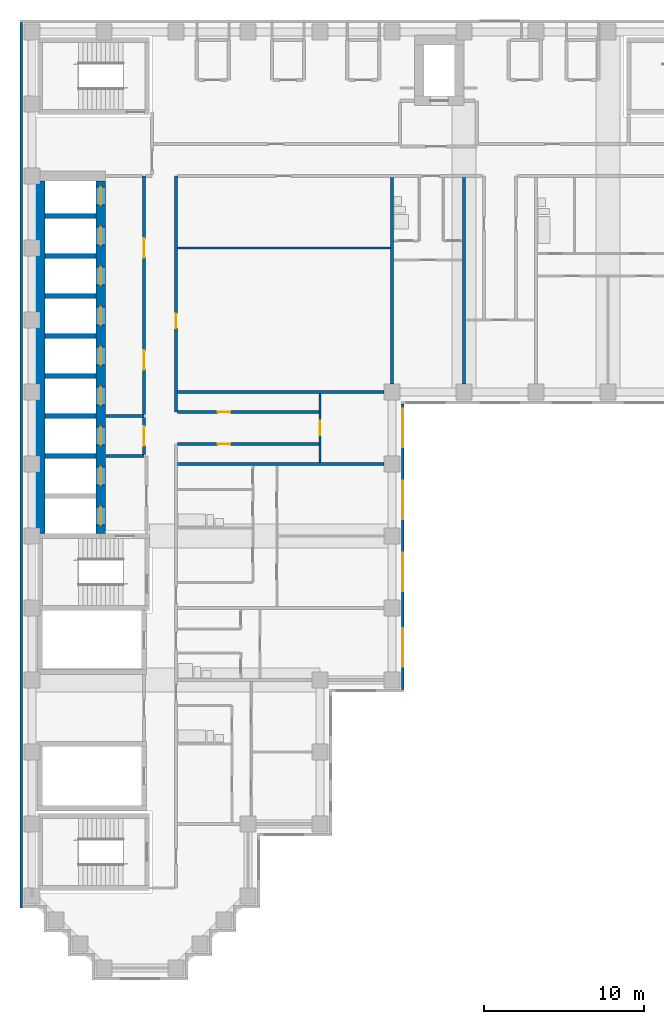
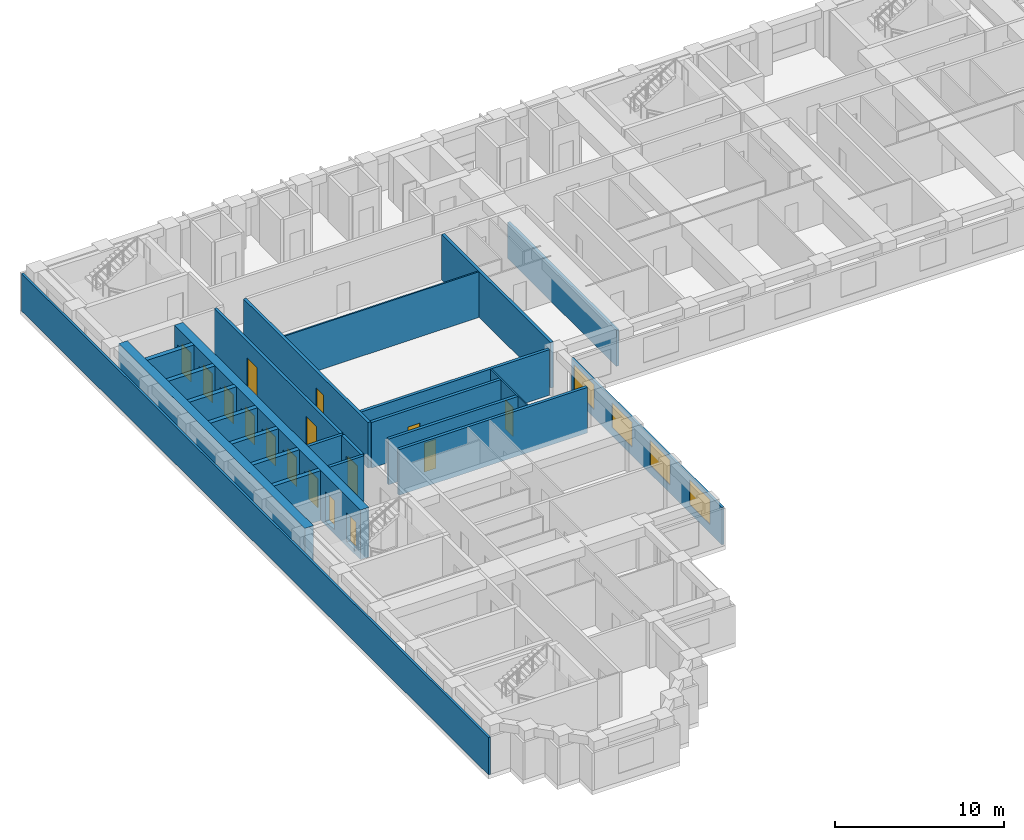
# One storey, part 4 of 12: 24 walls, 16 doors, 4 windows, 20 openings.
"""IFC4 building model written with IfcOpenShell, lengths in metres."""

from ifc_helpers import new_model, si_unit, direction, frame, frame_2d, origin, place, context, subcontext, project, spatial, rectangle, extrude, material, layer, layer_set, type_object, element, fill, save


model = new_model("IFC4")

# Units and contexts
model_context = context("Model", 3, precision=1e-05, world=origin(), true_north=direction((0.0, 1.0)))
body_context = subcontext(model_context, "Body", "Model", "MODEL_VIEW")
ifc_project = project(units=[si_unit("LENGTHUNIT", "METRE"), si_unit("AREAUNIT", "SQUARE_METRE"), si_unit("VOLUMEUNIT", "CUBIC_METRE"), si_unit("PLANEANGLEUNIT", "RADIAN"), si_unit("MASSUNIT", "GRAM", prefix="KILO")], contexts=[model_context])

# Site, building, storey
site_placement = place(None, origin())
site = spatial("IfcSite", under=ifc_project, at=site_placement, CompositionType="ELEMENT")
building_placement = place(site_placement, origin())
building = spatial("IfcBuilding", under=site, at=building_placement, Name="Firuza Court", CompositionType="ELEMENT")
storey_placement = place(building_placement, frame((0.0, 0.0, 144.800048828125)))
storey = spatial("IfcBuildingStorey", under=building, at=storey_placement, Name="L36", CompositionType="ELEMENT", Elevation=144.800048828125)

# Walls
ifc_material_1 = material(Name="Concrete C60/75", Category="concrete")
ifc_layer_1 = layer(ifc_material_1, 0.300048828125)
ifc_layer_set_1 = layer_set([ifc_layer_1], Name="Concrete C60/75")
wall_type_1 = type_object("IfcWallType", Name="Core wall 300 C60/75", PredefinedType="SHEAR", material=ifc_layer_set_1)
for number, where, z_axis, x_axis, name in (
    (1, (0.800048828125, 32.0, -0.300048828125), (0.0, 0.0, 1.0), (1.0, 0.0, 0.0), "Core wall lift shaft L36"),
    (2, (0.800048828125, 34.5, -0.300048828125), (0.0, 0.0, 1.0), (1.0, 0.0, 0.0), "Core wall lift shaft L36"),
    (3, (0.800048828125, 37.0, -0.300048828125), (0.0, 0.0, 1.0), (1.0, 0.0, 0.0), "Core wall lift shaft L36"),
    (4, (0.800048828125, 39.5, -0.300048828125), (0.0, 0.0, 1.0), (1.0, 0.0, 0.0), "Core wall lift shaft L36"),
    (5, (0.800048828125, 42.0, -0.300048828125), (0.0, 0.0, 1.0), (1.0, 0.0, 0.0), "Core wall lift shaft L36"),
    (6, (0.800048828125, 44.5, -0.300048828125), (0.0, 0.0, 1.0), (1.0, 0.0, 0.0), "Core wall lift shaft L36"),
    (7, (0.800048828125, 47.0, -0.300048828125), (0.0, 0.0, 1.0), (1.0, 0.0, 0.0), "Core wall lift shaft L36"),
):
    element("IfcWall", number, at=place(storey_placement, frame(where, z_axis=z_axis, x_axis=x_axis)), inside=storey, type_object=wall_type_1, Name=name, PredefinedType="SHEAR", context=body_context, shape_type="SweptSolid", body=[
        extrude(rectangle(XDim=3.199951171875, YDim=0.300048828125, at=frame_2d((1.60009765625, 0.0))), origin(), (0.0, 0.0, 1.0), 3.60009765625),
    ])
ifc_layer_2 = layer(ifc_material_1, 0.60009765625)
ifc_layer_set_2 = layer_set([ifc_layer_2], Name="Concrete C60/75")
wall_type_2 = type_object("IfcWallType", Name="Core wall 600 C60/75", PredefinedType="SHEAR", material=ifc_layer_set_2)
wall_1_placement = place(storey_placement, frame((0.5, 27.14990234375, -0.300048828125), z_axis=(0.0, 0.0, 1.0), x_axis=(0.0, 1.0, 0.0)))
element("IfcWall", 8, at=wall_1_placement, inside=storey, type_object=wall_type_2, Name="Core wall lift shaft L36", PredefinedType="SHEAR", context=body_context, shape_type="SweptSolid", body=[
    extrude(rectangle(XDim=22.050048828125, YDim=0.60009765625, at=frame_2d((11.02490234375, 0.0))), origin(), (0.0, 0.0, 1.0), 3.60009765625),
])

# Wall, openings, doors
wall_2_placement = place(storey_placement, frame((4.300048828125, 27.14990234375, -0.300048828125), z_axis=(0.0, 0.0, 1.0), x_axis=(0.0, 1.0, 0.0)))
wall_2 = element("IfcWall", 9, at=wall_2_placement, inside=storey, type_object=wall_type_2, Name="Core wall lift shaft L36", PredefinedType="SHEAR", context=body_context, shape_type="SweptSolid", body=[
    extrude(rectangle(XDim=22.050048828125, YDim=0.60009765625, at=frame_2d((11.02490234375, 0.0))), origin(), (0.0, 0.0, 1.0), 3.60009765625),
])
opening_1_placement = place(wall_2_placement, frame((3.050048828125, 0.0, 0.300048828125)))
opening_1 = element("IfcOpeningElement", 10, at=opening_1_placement, cuts=wall_2, Name="Opening LD-FL1-36", PredefinedType="OPENING", context=body_context, shape_type="SweptSolid", body=[
    extrude(rectangle(XDim=1.10009765625, YDim=2.10009765625, at=frame_2d((0.550048828125, 1.050048828125))), frame((0.0, 0.31201171875, 0.0), z_axis=(0.0, -1.0, 0.0), x_axis=(1.0, 0.0, 0.0)), (0.0, 0.0, 1.0), 0.6240234375),
])
opening_2_placement = place(wall_2_placement, frame((0.550048828125, 0.0, 0.300048828125)))
opening_2 = element("IfcOpeningElement", 11, at=opening_2_placement, cuts=wall_2, Name="Opening LD-FL2-36", PredefinedType="OPENING", context=body_context, shape_type="SweptSolid", body=[
    extrude(rectangle(XDim=1.10009765625, YDim=2.10009765625, at=frame_2d((0.550048828125, 1.050048828125))), frame((0.0, 0.31201171875, 0.0), z_axis=(0.0, -1.0, 0.0), x_axis=(1.0, 0.0, 0.0)), (0.0, 0.0, 1.0), 0.6240234375),
])
opening_3_placement = place(wall_2_placement, frame((20.550048828125, 0.0, 0.300048828125)))
opening_3 = element("IfcOpeningElement", 12, at=opening_3_placement, cuts=wall_2, Name="Opening LD-HB1-36", PredefinedType="OPENING", context=body_context, shape_type="SweptSolid", body=[
    extrude(rectangle(XDim=1.10009765625, YDim=2.10009765625, at=frame_2d((0.550048828125, 1.050048828125))), frame((0.0, 0.31201171875, 0.0), z_axis=(0.0, -1.0, 0.0), x_axis=(1.0, 0.0, 0.0)), (0.0, 0.0, 1.0), 0.6240234375),
])
opening_4_placement = place(wall_2_placement, frame((18.050048828125, 0.0, 0.300048828125)))
opening_4 = element("IfcOpeningElement", 13, at=opening_4_placement, cuts=wall_2, Name="Opening LD-HB2-36", PredefinedType="OPENING", context=body_context, shape_type="SweptSolid", body=[
    extrude(rectangle(XDim=1.10009765625, YDim=2.10009765625, at=frame_2d((0.550048828125, 1.050048828125))), frame((0.0, 0.31201171875, 0.0), z_axis=(0.0, -1.0, 0.0), x_axis=(1.0, 0.0, 0.0)), (0.0, 0.0, 1.0), 0.6240234375),
])
opening_5_placement = place(wall_2_placement, frame((15.550048828125, 0.0, 0.300048828125)))
opening_5 = element("IfcOpeningElement", 14, at=opening_5_placement, cuts=wall_2, Name="Opening LD-HB3-36", PredefinedType="OPENING", context=body_context, shape_type="SweptSolid", body=[
    extrude(rectangle(XDim=1.10009765625, YDim=2.10009765625, at=frame_2d((0.550048828125, 1.050048828125))), frame((0.0, 0.31201171875, 0.0), z_axis=(0.0, -1.0, 0.0), x_axis=(1.0, 0.0, 0.0)), (0.0, 0.0, 1.0), 0.6240234375),
])
opening_6_placement = place(wall_2_placement, frame((13.050048828125, 0.0, 0.300048828125)))
opening_6 = element("IfcOpeningElement", 15, at=opening_6_placement, cuts=wall_2, Name="Opening LD-HB4-36", PredefinedType="OPENING", context=body_context, shape_type="SweptSolid", body=[
    extrude(rectangle(XDim=1.10009765625, YDim=2.10009765625, at=frame_2d((0.550048828125, 1.050048828125))), frame((0.0, 0.31201171875, 0.0), z_axis=(0.0, -1.0, 0.0), x_axis=(1.0, 0.0, 0.0)), (0.0, 0.0, 1.0), 0.6240234375),
])
opening_7_placement = place(wall_2_placement, frame((10.550048828125, 0.0, 0.300048828125)))
opening_7 = element("IfcOpeningElement", 16, at=opening_7_placement, cuts=wall_2, Name="Opening LD-HB5-36", PredefinedType="OPENING", context=body_context, shape_type="SweptSolid", body=[
    extrude(rectangle(XDim=1.10009765625, YDim=2.10009765625, at=frame_2d((0.550048828125, 1.050048828125))), frame((0.0, 0.31201171875, 0.0), z_axis=(0.0, -1.0, 0.0), x_axis=(1.0, 0.0, 0.0)), (0.0, 0.0, 1.0), 0.6240234375),
])
opening_8_placement = place(wall_2_placement, frame((8.050048828125, 0.0, 0.300048828125)))
opening_8 = element("IfcOpeningElement", 17, at=opening_8_placement, cuts=wall_2, Name="Opening LD-HB6-36", PredefinedType="OPENING", context=body_context, shape_type="SweptSolid", body=[
    extrude(rectangle(XDim=1.10009765625, YDim=2.10009765625, at=frame_2d((0.550048828125, 1.050048828125))), frame((0.0, 0.31201171875, 0.0), z_axis=(0.0, -1.0, 0.0), x_axis=(1.0, 0.0, 0.0)), (0.0, 0.0, 1.0), 0.6240234375),
])
opening_9_placement = place(wall_2_placement, frame((5.550048828125, 0.0, 0.300048828125)))
opening_9 = element("IfcOpeningElement", 18, at=opening_9_placement, cuts=wall_2, Name="Opening LD-SL1-36", PredefinedType="OPENING", context=body_context, shape_type="SweptSolid", body=[
    extrude(rectangle(XDim=1.10009765625, YDim=2.10009765625, at=frame_2d((0.550048828125, 1.050048828125))), frame((0.0, 0.31201171875, 0.0), z_axis=(0.0, -1.0, 0.0), x_axis=(1.0, 0.0, 0.0)), (0.0, 0.0, 1.0), 0.6240234375),
])
ifc_material_2 = material(Name="Stainless steel 1.4301 door leaf", Category="steel")
door_type_1 = type_object("IfcDoorType", Name="Lift landing door 1100", OperationType="SLIDING_TO_LEFT", PredefinedType="DOOR", material=ifc_material_2)
door_1_placement = place(opening_1_placement, origin())
door_1 = element("IfcDoor", 19, at=door_1_placement, inside=storey, type_object=door_type_1, Name="Landing door FL1", OperationType="SLIDING_TO_LEFT", OverallHeight=2.10009765625, OverallWidth=1.10009765625, PredefinedType="DOOR", context=body_context, shape_type="SweptSolid", body=[
    extrude(rectangle(XDim=1.10009765625, YDim=2.10009765625, at=frame_2d((0.550048828125, 1.050048828125))), frame((0.0, 0.02490234375, 0.0), z_axis=(0.0, -1.0, 0.0), x_axis=(1.0, 0.0, 0.0)), (0.0, 0.0, 1.0), 0.050048828125),
])
fill(opening_1, door_1)
door_2_placement = place(opening_2_placement, origin())
door_2 = element("IfcDoor", 20, at=door_2_placement, inside=storey, type_object=door_type_1, Name="Landing door FL2", OperationType="SLIDING_TO_LEFT", OverallHeight=2.10009765625, OverallWidth=1.10009765625, PredefinedType="DOOR", context=body_context, shape_type="SweptSolid", body=[
    extrude(rectangle(XDim=1.10009765625, YDim=2.10009765625, at=frame_2d((0.550048828125, 1.050048828125))), frame((0.0, 0.02490234375, 0.0), z_axis=(0.0, -1.0, 0.0), x_axis=(1.0, 0.0, 0.0)), (0.0, 0.0, 1.0), 0.050048828125),
])
fill(opening_2, door_2)
door_3_placement = place(opening_3_placement, origin())
door_3 = element("IfcDoor", 21, at=door_3_placement, inside=storey, type_object=door_type_1, Name="Landing door HB1", OperationType="SLIDING_TO_LEFT", OverallHeight=2.10009765625, OverallWidth=1.10009765625, PredefinedType="DOOR", context=body_context, shape_type="SweptSolid", body=[
    extrude(rectangle(XDim=1.10009765625, YDim=2.10009765625, at=frame_2d((0.550048828125, 1.050048828125))), frame((0.0, 0.02490234375, 0.0), z_axis=(0.0, -1.0, 0.0), x_axis=(1.0, 0.0, 0.0)), (0.0, 0.0, 1.0), 0.050048828125),
])
fill(opening_3, door_3)
door_4_placement = place(opening_4_placement, origin())
door_4 = element("IfcDoor", 22, at=door_4_placement, inside=storey, type_object=door_type_1, Name="Landing door HB2", OperationType="SLIDING_TO_LEFT", OverallHeight=2.10009765625, OverallWidth=1.10009765625, PredefinedType="DOOR", context=body_context, shape_type="SweptSolid", body=[
    extrude(rectangle(XDim=1.10009765625, YDim=2.10009765625, at=frame_2d((0.550048828125, 1.050048828125))), frame((0.0, 0.02490234375, 0.0), z_axis=(0.0, -1.0, 0.0), x_axis=(1.0, 0.0, 0.0)), (0.0, 0.0, 1.0), 0.050048828125),
])
fill(opening_4, door_4)
door_5_placement = place(opening_5_placement, origin())
door_5 = element("IfcDoor", 23, at=door_5_placement, inside=storey, type_object=door_type_1, Name="Landing door HB3", OperationType="SLIDING_TO_LEFT", OverallHeight=2.10009765625, OverallWidth=1.10009765625, PredefinedType="DOOR", context=body_context, shape_type="SweptSolid", body=[
    extrude(rectangle(XDim=1.10009765625, YDim=2.10009765625, at=frame_2d((0.550048828125, 1.050048828125))), frame((0.0, 0.02490234375, 0.0), z_axis=(0.0, -1.0, 0.0), x_axis=(1.0, 0.0, 0.0)), (0.0, 0.0, 1.0), 0.050048828125),
])
fill(opening_5, door_5)
door_6_placement = place(opening_6_placement, origin())
door_6 = element("IfcDoor", 24, at=door_6_placement, inside=storey, type_object=door_type_1, Name="Landing door HB4", OperationType="SLIDING_TO_LEFT", OverallHeight=2.10009765625, OverallWidth=1.10009765625, PredefinedType="DOOR", context=body_context, shape_type="SweptSolid", body=[
    extrude(rectangle(XDim=1.10009765625, YDim=2.10009765625, at=frame_2d((0.550048828125, 1.050048828125))), frame((0.0, 0.02490234375, 0.0), z_axis=(0.0, -1.0, 0.0), x_axis=(1.0, 0.0, 0.0)), (0.0, 0.0, 1.0), 0.050048828125),
])
fill(opening_6, door_6)
door_7_placement = place(opening_7_placement, origin())
door_7 = element("IfcDoor", 25, at=door_7_placement, inside=storey, type_object=door_type_1, Name="Landing door HB5", OperationType="SLIDING_TO_LEFT", OverallHeight=2.10009765625, OverallWidth=1.10009765625, PredefinedType="DOOR", context=body_context, shape_type="SweptSolid", body=[
    extrude(rectangle(XDim=1.10009765625, YDim=2.10009765625, at=frame_2d((0.550048828125, 1.050048828125))), frame((0.0, 0.02490234375, 0.0), z_axis=(0.0, -1.0, 0.0), x_axis=(1.0, 0.0, 0.0)), (0.0, 0.0, 1.0), 0.050048828125),
])
fill(opening_7, door_7)
door_8_placement = place(opening_8_placement, origin())
door_8 = element("IfcDoor", 26, at=door_8_placement, inside=storey, type_object=door_type_1, Name="Landing door HB6", OperationType="SLIDING_TO_LEFT", OverallHeight=2.10009765625, OverallWidth=1.10009765625, PredefinedType="DOOR", context=body_context, shape_type="SweptSolid", body=[
    extrude(rectangle(XDim=1.10009765625, YDim=2.10009765625, at=frame_2d((0.550048828125, 1.050048828125))), frame((0.0, 0.02490234375, 0.0), z_axis=(0.0, -1.0, 0.0), x_axis=(1.0, 0.0, 0.0)), (0.0, 0.0, 1.0), 0.050048828125),
])
fill(opening_8, door_8)
door_9_placement = place(opening_9_placement, origin())
door_9 = element("IfcDoor", 27, at=door_9_placement, inside=storey, type_object=door_type_1, Name="Landing door SL1", OperationType="SLIDING_TO_LEFT", OverallHeight=2.10009765625, OverallWidth=1.10009765625, PredefinedType="DOOR", context=body_context, shape_type="SweptSolid", body=[
    extrude(rectangle(XDim=1.10009765625, YDim=2.10009765625, at=frame_2d((0.550048828125, 1.050048828125))), frame((0.0, 0.02490234375, 0.0), z_axis=(0.0, -1.0, 0.0), x_axis=(1.0, 0.0, 0.0)), (0.0, 0.0, 1.0), 0.050048828125),
])
fill(opening_9, door_9)

# Wall, opening, door
ifc_material_3 = material(Name="Blockwork, plastered both sides", Category="masonry")
ifc_layer_3 = layer(ifc_material_3, 0.199951171875)
ifc_layer_set_3 = layer_set([ifc_layer_3], Name="Blockwork, plastered both sides")
wall_type_3 = type_object("IfcWallType", Name="Corridor wall 200", PredefinedType="PARTITIONING", material=ifc_layer_set_3)
wall_3_placement = place(storey_placement, frame((9.10009765625, 32.75, 0.0), z_axis=(0.0, 0.0, 1.0), x_axis=(1.0, 0.0, 0.0)))
wall_3 = element("IfcWall", 28, at=wall_3_placement, inside=storey, type_object=wall_type_3, Name="Corridor wall 200 L36", PredefinedType="PARTITIONING", context=body_context, shape_type="SweptSolid", body=[
    extrude(rectangle(XDim=8.849853515625, YDim=0.199951171875, at=frame_2d((4.4248046875, 0.0))), origin(), (0.0, 0.0, 1.0), 3.300048828125),
])
opening_10_placement = place(wall_3_placement, frame((2.5, 0.0, 0.0)))
opening_10 = element("IfcOpeningElement", 29, at=opening_10_placement, cuts=wall_3, Name="Opening D36036", PredefinedType="OPENING", context=body_context, shape_type="SweptSolid", body=[
    extrude(rectangle(XDim=0.800048828125, YDim=2.10009765625, at=frame_2d((0.39990234375, 1.050048828125))), frame((0.0, 0.11181640625, 0.0), z_axis=(0.0, -1.0, 0.0), x_axis=(1.0, 0.0, 0.0)), (0.0, 0.0, 1.0), 0.223876953125),
])
ifc_material_4 = material(Name="Timber door leaf in hardwood frame", Category="wood")
door_type_2 = type_object("IfcDoorType", Name="Room door 800 EI 30", OperationType="SINGLE_SWING_LEFT", PredefinedType="DOOR", material=ifc_material_4)
door_10_placement = place(opening_10_placement, frame((0.800048828125, 0.0, 0.0), z_axis=(0.0, 0.0, 1.0), x_axis=(-1.0, 0.0, 0.0)))
door_10 = element("IfcDoor", 30, at=door_10_placement, inside=storey, type_object=door_type_2, Name="Store door", OperationType="SINGLE_SWING_RIGHT", OverallHeight=2.10009765625, OverallWidth=0.800048828125, PredefinedType="DOOR", context=body_context, shape_type="SweptSolid", body=[
    extrude(rectangle(XDim=0.800048828125, YDim=2.10009765625, at=frame_2d((0.39990234375, 1.050048828125))), frame((0.0, 0.02490234375, 0.0), z_axis=(0.0, -1.0, 0.0), x_axis=(1.0, 0.0, 0.0)), (0.0, 0.0, 1.0), 0.050048828125),
])
fill(opening_10, door_10)

wall_4_placement = place(storey_placement, frame((9.0, 34.75, 0.0), z_axis=(0.0, 0.0, 1.0), x_axis=(0.0, 1.0, 0.0)))
wall_4 = element("IfcWall", 31, at=wall_4_placement, inside=storey, type_object=wall_type_3, Name="Corridor wall 200 L36", PredefinedType="PARTITIONING", context=body_context, shape_type="SweptSolid", body=[
    extrude(rectangle(XDim=14.75, YDim=0.199951171875, at=frame_2d((7.375, 0.0))), origin(), (0.0, 0.0, 1.0), 3.300048828125),
])
opening_11_placement = place(wall_4_placement, frame((5.25, 0.0, 0.0)))
opening_11 = element("IfcOpeningElement", 32, at=opening_11_placement, cuts=wall_4, Name="Opening D36037", PredefinedType="OPENING", context=body_context, shape_type="SweptSolid", body=[
    extrude(rectangle(XDim=0.89990234375, YDim=2.10009765625, at=frame_2d((0.449951171875, 1.050048828125))), frame((0.0, 0.11181640625, 0.0), z_axis=(0.0, -1.0, 0.0), x_axis=(1.0, 0.0, 0.0)), (0.0, 0.0, 1.0), 0.223876953125),
])
ifc_material_5 = material(Name="Timber door leaf in hardwood frame", Category="wood")
door_type_3 = type_object("IfcDoorType", Name="Room door 900 EI 30", OperationType="SINGLE_SWING_LEFT", PredefinedType="DOOR", material=ifc_material_5)
door_11_placement = place(opening_11_placement, origin())
door_11 = element("IfcDoor", 33, at=door_11_placement, inside=storey, type_object=door_type_3, Name="Yoga studio door", OperationType="SINGLE_SWING_LEFT", OverallHeight=2.10009765625, OverallWidth=0.89990234375, PredefinedType="DOOR", context=body_context, shape_type="SweptSolid", body=[
    extrude(rectangle(XDim=0.89990234375, YDim=2.10009765625, at=frame_2d((0.449951171875, 1.050048828125))), frame((0.0, 0.02490234375, 0.0), z_axis=(0.0, -1.0, 0.0), x_axis=(1.0, 0.0, 0.0)), (0.0, 0.0, 1.0), 0.050048828125),
])
fill(opening_11, door_11)

wall_5_placement = place(storey_placement, frame((9.10009765625, 34.75, 0.0), z_axis=(0.0, 0.0, 1.0), x_axis=(1.0, 0.0, 0.0)))
wall_5 = element("IfcWall", 34, at=wall_5_placement, inside=storey, type_object=wall_type_3, Name="Corridor wall 200 L36", PredefinedType="PARTITIONING", context=body_context, shape_type="SweptSolid", body=[
    extrude(rectangle(XDim=8.849853515625, YDim=0.199951171875, at=frame_2d((4.4248046875, 0.0))), origin(), (0.0, 0.0, 1.0), 3.300048828125),
])
opening_12_placement = place(wall_5_placement, frame((2.5, 0.0, 0.0)))
opening_12 = element("IfcOpeningElement", 35, at=opening_12_placement, cuts=wall_5, Name="Opening D36038", PredefinedType="OPENING", context=body_context, shape_type="SweptSolid", body=[
    extrude(rectangle(XDim=0.800048828125, YDim=2.10009765625, at=frame_2d((0.39990234375, 1.050048828125))), frame((0.0, 0.11181640625, 0.0), z_axis=(0.0, -1.0, 0.0), x_axis=(1.0, 0.0, 0.0)), (0.0, 0.0, 1.0), 0.223876953125),
])
door_12_placement = place(opening_12_placement, origin())
door_12 = element("IfcDoor", 36, at=door_12_placement, inside=storey, type_object=door_type_2, Name="Store door", OperationType="SINGLE_SWING_LEFT", OverallHeight=2.10009765625, OverallWidth=0.800048828125, PredefinedType="DOOR", context=body_context, shape_type="SweptSolid", body=[
    extrude(rectangle(XDim=0.800048828125, YDim=2.10009765625, at=frame_2d((0.39990234375, 1.050048828125))), frame((0.0, 0.02490234375, 0.0), z_axis=(0.0, -1.0, 0.0), x_axis=(1.0, 0.0, 0.0)), (0.0, 0.0, 1.0), 0.050048828125),
])
fill(opening_12, door_12)

ifc_material_6 = material(Name="Timber stud partition, plasterboard both sides", Category="wood")
ifc_layer_4 = layer(ifc_material_6, 0.10009765625)
ifc_layer_set_4 = layer_set([ifc_layer_4], Name="Timber stud partition, plasterboard both sides")
wall_type_4 = type_object("IfcWallType", Name="Partition wall 100", PredefinedType="PARTITIONING", material=ifc_layer_set_4)
wall_6_placement = place(storey_placement, frame((18.0, 31.60009765625, 0.0), z_axis=(0.0, 0.0, 1.0), x_axis=(0.0, 1.0, 0.0)))
wall_6 = element("IfcWall", 37, at=wall_6_placement, inside=storey, type_object=wall_type_4, Name="Partition wall 100 L36", PredefinedType="PARTITIONING", context=body_context, shape_type="SweptSolid", body=[
    extrude(rectangle(XDim=4.2998046875, YDim=0.10009765625, at=frame_2d((2.14990234375, 0.0))), origin(), (0.0, 0.0, 1.0), 3.300048828125),
])
opening_13_placement = place(wall_6_placement, frame((1.699951171875, 0.0, 0.0)))
opening_13 = element("IfcOpeningElement", 38, at=opening_13_placement, cuts=wall_6, Name="Opening D36035", PredefinedType="OPENING", context=body_context, shape_type="SweptSolid", body=[
    extrude(rectangle(XDim=0.89990234375, YDim=2.10009765625, at=frame_2d((0.449951171875, 1.050048828125))), frame((0.0, 0.06201171875, 0.0), z_axis=(0.0, -1.0, 0.0), x_axis=(1.0, 0.0, 0.0)), (0.0, 0.0, 1.0), 0.1240234375),
])
ifc_material_7 = material(Name="Timber door leaf in hardwood frame", Category="wood")
door_type_4 = type_object("IfcDoorType", Name="Room door 900", OperationType="SINGLE_SWING_LEFT", PredefinedType="DOOR", material=ifc_material_7)
door_13_placement = place(opening_13_placement, origin())
door_13 = element("IfcDoor", 39, at=door_13_placement, inside=storey, type_object=door_type_4, Name="Residents' lounge door", OperationType="SINGLE_SWING_LEFT", OverallHeight=2.10009765625, OverallWidth=0.89990234375, PredefinedType="DOOR", context=body_context, shape_type="SweptSolid", body=[
    extrude(rectangle(XDim=0.89990234375, YDim=2.10009765625, at=frame_2d((0.449951171875, 1.050048828125))), frame((0.0, 0.02490234375, 0.0), z_axis=(0.0, -1.0, 0.0), x_axis=(1.0, 0.0, 0.0)), (0.0, 0.0, 1.0), 0.050048828125),
])
fill(opening_13, door_13)

# Walls
wall_7_placement = place(storey_placement, frame((9.10009765625, 45.0, 0.0), z_axis=(0.0, 0.0, 1.0), x_axis=(1.0, 0.0, 0.0)))
element("IfcWall", 40, at=wall_7_placement, inside=storey, type_object=wall_type_4, Name="Partition wall 100 L36", PredefinedType="PARTITIONING", context=body_context, shape_type="SweptSolid", body=[
    extrude(rectangle(XDim=13.2998046875, YDim=0.10009765625, at=frame_2d((6.64990234375, 0.0))), origin(), (0.0, 0.0, 1.0), 3.300048828125),
])
ifc_layer_5 = layer(ifc_material_3, 0.199951171875)
ifc_layer_set_5 = layer_set([ifc_layer_5], Name="Blockwork, plastered both sides")
wall_type_5 = type_object("IfcWallType", Name="Party wall 200", PredefinedType="PARTITIONING", material=ifc_layer_set_5)
for number, where, z_axis, x_axis, name in (
    (41, (9.10009765625, 31.5, 0.0), (0.0, 0.0, 1.0), (1.0, 0.0, 0.0), "Party wall 200 L36"),
    (42, (9.10009765625, 36.0, 0.0), (0.0, 0.0, 1.0), (1.0, 0.0, 0.0), "Party wall 200 L36"),
    (43, (22.5, 36.5, 0.0), (0.0, 0.0, 1.0), (0.0, 1.0, 0.0), "Party wall 200 L36"),
):
    element("IfcWall", number, at=place(storey_placement, frame(where, z_axis=z_axis, x_axis=x_axis)), inside=storey, type_object=wall_type_5, Name=name, PredefinedType="PARTITIONING", context=body_context, shape_type="SweptSolid", body=[
        extrude(rectangle(XDim=12.89990234375, YDim=0.199951171875, at=frame_2d((6.449951171875, 0.0))), origin(), (0.0, 0.0, 1.0), 3.300048828125),
    ])
wall_8_placement = place(storey_placement, frame((27.0, 36.5, 0.0), z_axis=(0.0, 0.0, 1.0), x_axis=(0.0, 1.0, 0.0)))
element("IfcWall", 44, at=wall_8_placement, inside=storey, type_object=wall_type_5, Name="Party wall 200 L36", PredefinedType="PARTITIONING", context=body_context, shape_type="SweptSolid", body=[
    extrude(rectangle(XDim=12.89990234375, YDim=0.199951171875, at=frame_2d((6.449951171875, 0.0))), origin(), (0.0, 0.0, 1.0), 2.599853515625),
])

# Wall, openings, windows
ifc_material_8 = material(Name="Ceramic tile", Category="ceramic")
ifc_layer_6 = layer(ifc_material_8, 0.02001953125)
ifc_material_9 = material(Name="Mineral wool insulation", Category="insulation")
ifc_layer_7 = layer(ifc_material_9, 0.050048828125)
ifc_material_10 = material(Name="Concrete C40/50 precast", Category="concrete")
ifc_layer_8 = layer(ifc_material_10, 0.080078125)
ifc_layer_set_6 = layer_set([ifc_layer_6, ifc_layer_7, ifc_layer_8], Name="Concrete C40/50 precast")
wall_type_6 = type_object("IfcWallType", Name="Precast cladding wall with turquoise TILE PANEL face 150", PredefinedType="STANDARD", material=ifc_layer_set_6)
wall_9_placement = place(storey_placement, frame((23.175048828125, 17.39990234375, 0.0), z_axis=(0.0, 0.0, 1.0), x_axis=(0.0, 1.0, 0.0)))
wall_9 = element("IfcWall", 45, at=wall_9_placement, inside=storey, type_object=wall_type_6, Name="Facade wall L36 E", PredefinedType="STANDARD", context=body_context, shape_type="SweptSolid", body=[
    extrude(rectangle(XDim=17.85009765625, YDim=0.14990234375, at=frame_2d((8.925048828125, 0.0))), origin(), (0.0, 0.0, 1.0), 2.699951171875),
])
opening_14_placement = place(wall_9_placement, frame((1.431640625, 0.0, 0.60009765625)))
opening_14 = element("IfcOpeningElement", 46, at=opening_14_placement, cuts=wall_9, Name="Opening W1", PredefinedType="OPENING", context=body_context, shape_type="SweptSolid", body=[
    extrude(rectangle(XDim=2.39990234375, YDim=1.800048828125, at=frame_2d((1.199951171875, 0.89990234375))), frame((0.0, 0.0869140625, 0.0), z_axis=(0.0, -1.0, 0.0), x_axis=(1.0, 0.0, 0.0)), (0.0, 0.0, 1.0), 0.173828125),
])
opening_15_placement = place(wall_9_placement, frame((6.14990234375, 0.0, 0.60009765625)))
opening_15 = element("IfcOpeningElement", 47, at=opening_15_placement, cuts=wall_9, Name="Opening W1", PredefinedType="OPENING", context=body_context, shape_type="SweptSolid", body=[
    extrude(rectangle(XDim=2.39990234375, YDim=1.800048828125, at=frame_2d((1.199951171875, 0.89990234375))), frame((0.0, 0.0869140625, 0.0), z_axis=(0.0, -1.0, 0.0), x_axis=(1.0, 0.0, 0.0)), (0.0, 0.0, 1.0), 0.173828125),
])
opening_16_placement = place(wall_9_placement, frame((10.64990234375, 0.0, 0.60009765625)))
opening_16 = element("IfcOpeningElement", 48, at=opening_16_placement, cuts=wall_9, Name="Opening W1", PredefinedType="OPENING", context=body_context, shape_type="SweptSolid", body=[
    extrude(rectangle(XDim=2.39990234375, YDim=1.800048828125, at=frame_2d((1.199951171875, 0.89990234375))), frame((0.0, 0.0869140625, 0.0), z_axis=(0.0, -1.0, 0.0), x_axis=(1.0, 0.0, 0.0)), (0.0, 0.0, 1.0), 0.173828125),
])
opening_17_placement = place(wall_9_placement, frame((15.14990234375, 0.0, 0.60009765625)))
opening_17 = element("IfcOpeningElement", 49, at=opening_17_placement, cuts=wall_9, Name="Opening W1", PredefinedType="OPENING", context=body_context, shape_type="SweptSolid", body=[
    extrude(rectangle(XDim=2.39990234375, YDim=1.800048828125, at=frame_2d((1.199951171875, 0.89990234375))), frame((0.0, 0.0869140625, 0.0), z_axis=(0.0, -1.0, 0.0), x_axis=(1.0, 0.0, 0.0)), (0.0, 0.0, 1.0), 0.173828125),
])
ifc_material_11 = material(Name="Aluminium frame, triple clear glazing", Category="aluminium")
window_type = type_object("IfcWindowType", Name="Window W1 2400 x 1800", PartitioningType="SINGLE_PANEL", PredefinedType="WINDOW", material=ifc_material_11)
window_1_placement = place(opening_14_placement, origin())
window_1 = element("IfcWindow", 50, at=window_1_placement, inside=storey, type_object=window_type, Name="Window L36", OverallHeight=1.800048828125, OverallWidth=2.39990234375, PartitioningType="SINGLE_PANEL", PredefinedType="WINDOW", context=body_context, shape_type="SweptSolid", body=[
    extrude(rectangle(XDim=2.39990234375, YDim=1.800048828125, at=frame_2d((1.199951171875, 0.89990234375))), frame((0.0, 0.030029296875, 0.0), z_axis=(0.0, -1.0, 0.0), x_axis=(1.0, 0.0, 0.0)), (0.0, 0.0, 1.0), 0.06005859375),
])
fill(opening_14, window_1)
window_2_placement = place(opening_15_placement, origin())
window_2 = element("IfcWindow", 51, at=window_2_placement, inside=storey, type_object=window_type, Name="Window L36", OverallHeight=1.800048828125, OverallWidth=2.39990234375, PartitioningType="SINGLE_PANEL", PredefinedType="WINDOW", context=body_context, shape_type="SweptSolid", body=[
    extrude(rectangle(XDim=2.39990234375, YDim=1.800048828125, at=frame_2d((1.199951171875, 0.89990234375))), frame((0.0, 0.030029296875, 0.0), z_axis=(0.0, -1.0, 0.0), x_axis=(1.0, 0.0, 0.0)), (0.0, 0.0, 1.0), 0.06005859375),
])
fill(opening_15, window_2)
window_3_placement = place(opening_16_placement, origin())
window_3 = element("IfcWindow", 52, at=window_3_placement, inside=storey, type_object=window_type, Name="Window L36", OverallHeight=1.800048828125, OverallWidth=2.39990234375, PartitioningType="SINGLE_PANEL", PredefinedType="WINDOW", context=body_context, shape_type="SweptSolid", body=[
    extrude(rectangle(XDim=2.39990234375, YDim=1.800048828125, at=frame_2d((1.199951171875, 0.89990234375))), frame((0.0, 0.030029296875, 0.0), z_axis=(0.0, -1.0, 0.0), x_axis=(1.0, 0.0, 0.0)), (0.0, 0.0, 1.0), 0.06005859375),
])
fill(opening_16, window_3)
window_4_placement = place(opening_17_placement, origin())
window_4 = element("IfcWindow", 53, at=window_4_placement, inside=storey, type_object=window_type, Name="Window L36", OverallHeight=1.800048828125, OverallWidth=2.39990234375, PartitioningType="SINGLE_PANEL", PredefinedType="WINDOW", context=body_context, shape_type="SweptSolid", body=[
    extrude(rectangle(XDim=2.39990234375, YDim=1.800048828125, at=frame_2d((1.199951171875, 0.89990234375))), frame((0.0, 0.030029296875, 0.0), z_axis=(0.0, -1.0, 0.0), x_axis=(1.0, 0.0, 0.0)), (0.0, 0.0, 1.0), 0.06005859375),
])
fill(opening_17, window_4)

# Walls
wall_10_placement = place(storey_placement, frame((-0.675048828125, 59.10009765625, 0.0), z_axis=(0.0, 0.0, 1.0), x_axis=(0.0, -1.0, 0.0)))
element("IfcWall", 54, at=wall_10_placement, inside=storey, type_object=wall_type_6, Name="Facade wall L36 W", PredefinedType="STANDARD", context=body_context, shape_type="SweptSolid", body=[
    extrude(rectangle(XDim=55.35009765625, YDim=0.14990234375, at=frame_2d((27.675048828125, 0.0))), origin(), (0.0, 0.0, 1.0), 2.699951171875),
])
ifc_material_12 = material(Name="Blockwork, fire-rated", Category="masonry")
ifc_layer_9 = layer(ifc_material_12, 0.199951171875)
ifc_layer_set_7 = layer_set([ifc_layer_9], Name="Blockwork, fire-rated")
wall_type_7 = type_object("IfcWallType", Name="Shaft wall 200", PredefinedType="PARTITIONING", material=ifc_layer_set_7)
wall_11_placement = place(storey_placement, frame((4.6201171875, 34.5, 0.0), z_axis=(0.0, 0.0, 1.0), x_axis=(1.0, 0.0, 0.0)))
element("IfcWall", 55, at=wall_11_placement, inside=storey, type_object=wall_type_7, Name="Shaft wall 200 L36", PredefinedType="PARTITIONING", context=body_context, shape_type="SweptSolid", body=[
    extrude(rectangle(XDim=2.3798828125, YDim=0.199951171875, at=frame_2d((1.18994140625, 0.0))), origin(), (0.0, 0.0, 1.0), 3.300048828125),
])

# Wall, openings, doors
wall_12_placement = place(storey_placement, frame((7.0, 34.60009765625, 0.0), z_axis=(0.0, 0.0, 1.0), x_axis=(0.0, 1.0, 0.0)))
wall_12 = element("IfcWall", 56, at=wall_12_placement, inside=storey, type_object=wall_type_7, Name="Shaft wall 200 L36", PredefinedType="PARTITIONING", context=body_context, shape_type="SweptSolid", body=[
    extrude(rectangle(XDim=14.89990234375, YDim=0.199951171875, at=frame_2d((7.449951171875, 0.0))), origin(), (0.0, 0.0, 1.0), 3.300048828125),
])
opening_18_placement = place(wall_12_placement, frame((2.800048828125, 0.0, 0.0)))
opening_18 = element("IfcOpeningElement", 57, at=opening_18_placement, cuts=wall_12, Name="Opening D36004", PredefinedType="OPENING", context=body_context, shape_type="SweptSolid", body=[
    extrude(rectangle(XDim=1.199951171875, YDim=2.10009765625, at=frame_2d((0.60009765625, 1.050048828125))), frame((0.0, 0.11181640625, 0.0), z_axis=(0.0, -1.0, 0.0), x_axis=(1.0, 0.0, 0.0)), (0.0, 0.0, 1.0), 0.223876953125),
])
opening_19_placement = place(wall_12_placement, frame((9.800048828125, 0.0, 0.0)))
opening_19 = element("IfcOpeningElement", 58, at=opening_19_placement, cuts=wall_12, Name="Opening D36005", PredefinedType="OPENING", context=body_context, shape_type="SweptSolid", body=[
    extrude(rectangle(XDim=1.199951171875, YDim=2.10009765625, at=frame_2d((0.60009765625, 1.050048828125))), frame((0.0, 0.11181640625, 0.0), z_axis=(0.0, -1.0, 0.0), x_axis=(1.0, 0.0, 0.0)), (0.0, 0.0, 1.0), 0.223876953125),
])
ifc_material_13 = material(Name="Timber door leaf in hardwood frame", Category="wood")
door_type_5 = type_object("IfcDoorType", Name="Lobby door 1200", OperationType="SINGLE_SWING_LEFT", PredefinedType="DOOR", material=ifc_material_13)
door_14_placement = place(opening_18_placement, origin())
door_14 = element("IfcDoor", 59, at=door_14_placement, inside=storey, type_object=door_type_5, Name="Lobby door", OperationType="SINGLE_SWING_LEFT", OverallHeight=2.10009765625, OverallWidth=1.199951171875, PredefinedType="DOOR", context=body_context, shape_type="SweptSolid", body=[
    extrude(rectangle(XDim=1.199951171875, YDim=2.10009765625, at=frame_2d((0.60009765625, 1.050048828125))), frame((0.0, 0.02490234375, 0.0), z_axis=(0.0, -1.0, 0.0), x_axis=(1.0, 0.0, 0.0)), (0.0, 0.0, 1.0), 0.050048828125),
])
fill(opening_18, door_14)
door_15_placement = place(opening_19_placement, origin())
door_15 = element("IfcDoor", 60, at=door_15_placement, inside=storey, type_object=door_type_5, Name="Lobby door", OperationType="SINGLE_SWING_RIGHT", OverallHeight=2.10009765625, OverallWidth=1.199951171875, PredefinedType="DOOR", context=body_context, shape_type="SweptSolid", body=[
    extrude(rectangle(XDim=1.199951171875, YDim=2.10009765625, at=frame_2d((0.60009765625, 1.050048828125))), frame((0.0, 0.02490234375, 0.0), z_axis=(0.0, -1.0, 0.0), x_axis=(1.0, 0.0, 0.0)), (0.0, 0.0, 1.0), 0.050048828125),
])
fill(opening_19, door_15)

# Wall
wall_13_placement = place(storey_placement, frame((4.6201171875, 32.0, 0.0), z_axis=(0.0, 0.0, 1.0), x_axis=(1.0, 0.0, 0.0)))
element("IfcWall", 61, at=wall_13_placement, inside=storey, type_object=wall_type_7, Name="Shaft wall 200 L36", PredefinedType="PARTITIONING", context=body_context, shape_type="SweptSolid", body=[
    extrude(rectangle(XDim=2.3798828125, YDim=0.199951171875, at=frame_2d((1.18994140625, 0.0))), origin(), (0.0, 0.0, 1.0), 3.300048828125),
])

# Wall, opening, door
wall_14_placement = place(storey_placement, frame((7.0, 32.10009765625, 0.0), z_axis=(0.0, 0.0, 1.0), x_axis=(0.0, 1.0, 0.0)))
wall_14 = element("IfcWall", 62, at=wall_14_placement, inside=storey, type_object=wall_type_7, Name="Shaft wall 200 L36", PredefinedType="PARTITIONING", context=body_context, shape_type="SweptSolid", body=[
    extrude(rectangle(XDim=2.2998046875, YDim=0.199951171875, at=frame_2d((1.14990234375, 0.0))), origin(), (0.0, 0.0, 1.0), 3.300048828125),
])
opening_20_placement = place(wall_14_placement, frame((0.550048828125, 0.0, 0.0)))
opening_20 = element("IfcOpeningElement", 63, at=opening_20_placement, cuts=wall_14, Name="Opening D36008", PredefinedType="OPENING", context=body_context, shape_type="SweptSolid", body=[
    extrude(rectangle(XDim=1.199951171875, YDim=2.10009765625, at=frame_2d((0.60009765625, 1.050048828125))), frame((0.0, 0.11181640625, 0.0), z_axis=(0.0, -1.0, 0.0), x_axis=(1.0, 0.0, 0.0)), (0.0, 0.0, 1.0), 0.223876953125),
])
door_16_placement = place(opening_20_placement, origin())
door_16 = element("IfcDoor", 64, at=door_16_placement, inside=storey, type_object=door_type_5, Name="Lobby door", OperationType="SINGLE_SWING_LEFT", OverallHeight=2.10009765625, OverallWidth=1.199951171875, PredefinedType="DOOR", context=body_context, shape_type="SweptSolid", body=[
    extrude(rectangle(XDim=1.199951171875, YDim=2.10009765625, at=frame_2d((0.60009765625, 1.050048828125))), frame((0.0, 0.02490234375, 0.0), z_axis=(0.0, -1.0, 0.0), x_axis=(1.0, 0.0, 0.0)), (0.0, 0.0, 1.0), 0.050048828125),
])
fill(opening_20, door_16)

save(model, "model.ifc")
